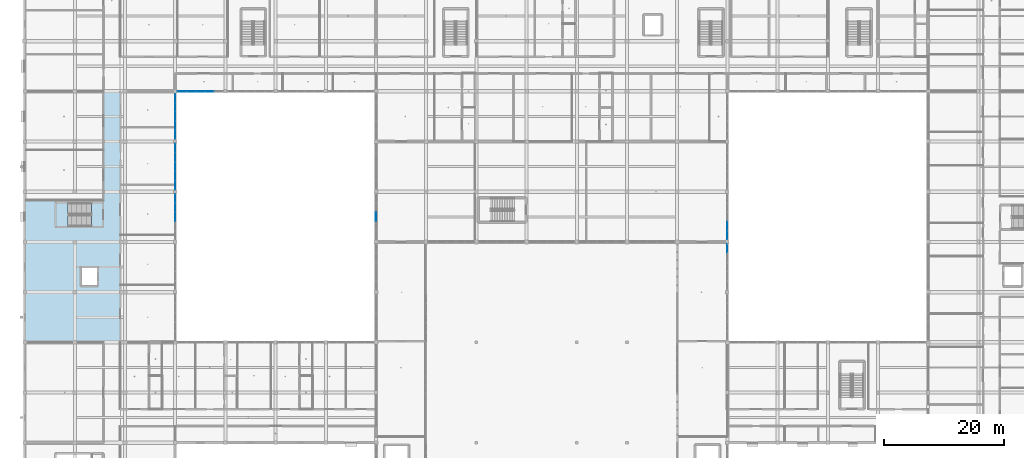
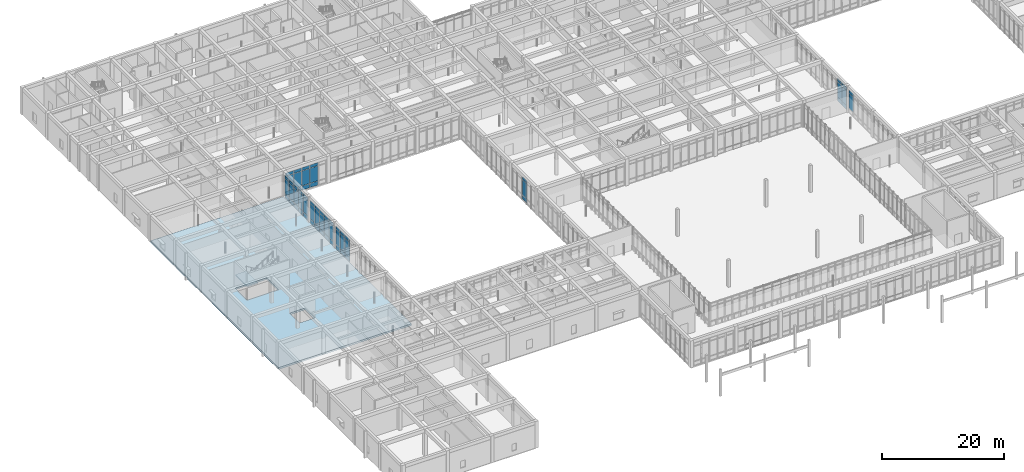
# One storey, part 65 of 157: 62 plates, 2 slabs, 8 elements without a shape of their own.
"""IFC4 building model written with IfcOpenShell, lengths in metres."""

from ifc_helpers import new_model, si_unit, direction, frame, origin, origin_2d, place, context, subcontext, project, spatial, polyline, rectangle, outline, extrude, material, layer, layer_set, type_object, element, aggregate, save


model = new_model("IFC4")

# Units and contexts
model_context = context("Model", 3, precision=1e-05, world=origin(), true_north=direction((0.0, 1.0)))
body_context = subcontext(model_context, "Body", "Model", "MODEL_VIEW")
ifc_project = project(units=[si_unit("LENGTHUNIT", "METRE"), si_unit("AREAUNIT", "SQUARE_METRE"), si_unit("VOLUMEUNIT", "CUBIC_METRE"), si_unit("PLANEANGLEUNIT", "RADIAN"), si_unit("MASSUNIT", "GRAM", prefix="KILO")], contexts=[model_context])

# Site, building, storey
site_placement = place(None, origin())
site = spatial("IfcSite", under=ifc_project, at=site_placement, CompositionType="ELEMENT")
building_placement = place(site_placement, origin())
building = spatial("IfcBuilding", under=site, at=building_placement, Name="Varncliffe General Hospital", CompositionType="ELEMENT")
storey_placement = place(building_placement, frame((0.0, 0.0, 5.39990234375)))
storey = spatial("IfcBuildingStorey", under=building, at=storey_placement, Name="L01", CompositionType="ELEMENT", Elevation=5.39990234375)

# Curtain wall, plates
ifc_material_1 = material(Name="Triple low-E argon insulated vision glazing", Category="glass")
curtain_wall_type_1 = type_object("IfcCurtainWallType", Name="Unitised Glazed Curtain Wall CW70 (7724x4640)", PredefinedType="USERDEFINED", material=ifc_material_1)
curtain_wall_1_placement = place(storey_placement, origin())
curtain_wall_1 = element("IfcCurtainWall", 1, at=curtain_wall_1_placement, inside=storey, type_object=curtain_wall_type_1, Name="L01 Glazed Curtain Wall CW70-76", ObjectType="GLAZED CURTAIN WALL", PredefinedType="USERDEFINED")
ifc_layer_1 = layer(ifc_material_1, 0.0439453125)
ifc_layer_set_1 = layer_set([ifc_layer_1], Name="Triple low-E argon insulated vision glazing")
plate_type_1 = type_object("IfcPlateType", Name="Curtain Wall Glazing Panel CP12 (44mm)", PredefinedType="CURTAIN_PANEL", material=ifc_layer_set_1)
plate_1_placement = place(storey_placement, frame((30.94482421875, 82.800048828125, 0.06005859375), z_axis=(0.0, 0.0, 1.0), x_axis=(-1.0, 0.0, 0.0)))
plate_1 = element("IfcPlate", 2, at=plate_1_placement, type_object=plate_type_1, Name="CW70 panel 2.1", PredefinedType="CURTAIN_PANEL", context=body_context, shape_type="SweptSolid", body=[
    extrude(rectangle(XDim=1.4697265625, YDim=0.0439453125, at=origin_2d()), origin(), (0.0, 0.0, 1.0), 0.81005859375),
])
plate_2_placement = place(storey_placement, frame((30.94482421875, 82.800048828125, 0.93017578125), z_axis=(0.0, 0.0, 1.0), x_axis=(-1.0, 0.0, 0.0)))
plate_2 = element("IfcPlate", 3, at=plate_2_placement, type_object=plate_type_1, Name="CW70 panel 2.2", PredefinedType="CURTAIN_PANEL", context=body_context, shape_type="SweptSolid", body=[
    extrude(rectangle(XDim=1.4697265625, YDim=0.0439453125, at=origin_2d()), origin(), (0.0, 0.0, 1.0), 2.97998046875),
])
plate_3_placement = place(storey_placement, frame((30.94482421875, 82.800048828125, 3.97021484375), z_axis=(0.0, 0.0, 1.0), x_axis=(-1.0, 0.0, 0.0)))
plate_3 = element("IfcPlate", 4, at=plate_3_placement, type_object=plate_type_1, Name="CW70 panel 2.3", PredefinedType="CURTAIN_PANEL", context=body_context, shape_type="SweptSolid", body=[
    extrude(rectangle(XDim=1.4697265625, YDim=0.0439453125, at=origin_2d()), origin(), (0.0, 0.0, 1.0), 0.610107421875),
])
plate_4_placement = place(storey_placement, frame((29.39990234375, 82.800048828125, 0.06005859375), z_axis=(0.0, 0.0, 1.0), x_axis=(-1.0, 0.0, 0.0)))
plate_4 = element("IfcPlate", 5, at=plate_4_placement, type_object=plate_type_1, Name="CW70 panel 3.1", PredefinedType="CURTAIN_PANEL", context=body_context, shape_type="SweptSolid", body=[
    extrude(rectangle(XDim=1.4697265625, YDim=0.0439453125, at=origin_2d()), origin(), (0.0, 0.0, 1.0), 0.81005859375),
])
plate_5_placement = place(storey_placement, frame((29.39990234375, 82.800048828125, 0.93017578125), z_axis=(0.0, 0.0, 1.0), x_axis=(-1.0, 0.0, 0.0)))
plate_5 = element("IfcPlate", 6, at=plate_5_placement, type_object=plate_type_1, Name="CW70 panel 3.2", PredefinedType="CURTAIN_PANEL", context=body_context, shape_type="SweptSolid", body=[
    extrude(rectangle(XDim=1.4697265625, YDim=0.0439453125, at=origin_2d()), origin(), (0.0, 0.0, 1.0), 2.97998046875),
])
plate_6_placement = place(storey_placement, frame((29.39990234375, 82.800048828125, 3.97021484375), z_axis=(0.0, 0.0, 1.0), x_axis=(-1.0, 0.0, 0.0)))
plate_6 = element("IfcPlate", 7, at=plate_6_placement, type_object=plate_type_1, Name="CW70 panel 3.3", PredefinedType="CURTAIN_PANEL", context=body_context, shape_type="SweptSolid", body=[
    extrude(rectangle(XDim=1.4697265625, YDim=0.0439453125, at=origin_2d()), origin(), (0.0, 0.0, 1.0), 0.610107421875),
])
plate_7_placement = place(storey_placement, frame((27.855224609375, 82.800048828125, 0.06005859375), z_axis=(0.0, 0.0, 1.0), x_axis=(-1.0, 0.0, 0.0)))
plate_7 = element("IfcPlate", 8, at=plate_7_placement, type_object=plate_type_1, Name="CW70 panel 4.1", PredefinedType="CURTAIN_PANEL", context=body_context, shape_type="SweptSolid", body=[
    extrude(rectangle(XDim=1.4697265625, YDim=0.0439453125, at=origin_2d()), origin(), (0.0, 0.0, 1.0), 0.81005859375),
])
plate_8_placement = place(storey_placement, frame((27.855224609375, 82.800048828125, 0.93017578125), z_axis=(0.0, 0.0, 1.0), x_axis=(-1.0, 0.0, 0.0)))
plate_8 = element("IfcPlate", 9, at=plate_8_placement, type_object=plate_type_1, Name="CW70 panel 4.2", PredefinedType="CURTAIN_PANEL", context=body_context, shape_type="SweptSolid", body=[
    extrude(rectangle(XDim=1.4697265625, YDim=0.0439453125, at=origin_2d()), origin(), (0.0, 0.0, 1.0), 2.97998046875),
])
plate_9_placement = place(storey_placement, frame((27.855224609375, 82.800048828125, 3.97021484375), z_axis=(0.0, 0.0, 1.0), x_axis=(-1.0, 0.0, 0.0)))
plate_9 = element("IfcPlate", 10, at=plate_9_placement, type_object=plate_type_1, Name="CW70 panel 4.3", PredefinedType="CURTAIN_PANEL", context=body_context, shape_type="SweptSolid", body=[
    extrude(rectangle(XDim=1.4697265625, YDim=0.0439453125, at=origin_2d()), origin(), (0.0, 0.0, 1.0), 0.610107421875),
])
plate_10_placement = place(storey_placement, frame((26.3291015625, 82.800048828125, 0.06005859375), z_axis=(0.0, 0.0, 1.0), x_axis=(-1.0, 0.0, 0.0)))
plate_10 = element("IfcPlate", 11, at=plate_10_placement, type_object=plate_type_1, Name="CW70 panel 5.1", PredefinedType="CURTAIN_PANEL", context=body_context, shape_type="SweptSolid", body=[
    extrude(rectangle(XDim=1.432373046875, YDim=0.0439453125, at=origin_2d()), origin(), (0.0, 0.0, 1.0), 0.81005859375),
])
plate_11_placement = place(storey_placement, frame((26.3291015625, 82.800048828125, 0.93017578125), z_axis=(0.0, 0.0, 1.0), x_axis=(-1.0, 0.0, 0.0)))
plate_11 = element("IfcPlate", 12, at=plate_11_placement, type_object=plate_type_1, Name="CW70 panel 5.2", PredefinedType="CURTAIN_PANEL", context=body_context, shape_type="SweptSolid", body=[
    extrude(rectangle(XDim=1.432373046875, YDim=0.0439453125, at=origin_2d()), origin(), (0.0, 0.0, 1.0), 2.97998046875),
])
plate_12_placement = place(storey_placement, frame((26.3291015625, 82.800048828125, 3.97021484375), z_axis=(0.0, 0.0, 1.0), x_axis=(-1.0, 0.0, 0.0)))
plate_12 = element("IfcPlate", 13, at=plate_12_placement, type_object=plate_type_1, Name="CW70 panel 5.3", PredefinedType="CURTAIN_PANEL", context=body_context, shape_type="SweptSolid", body=[
    extrude(rectangle(XDim=1.432373046875, YDim=0.0439453125, at=origin_2d()), origin(), (0.0, 0.0, 1.0), 0.610107421875),
])
aggregate(curtain_wall_1, [plate_1, plate_2, plate_3, plate_4, plate_5, plate_6, plate_7, plate_8, plate_9, plate_10, plate_11, plate_12])

curtain_wall_2_placement = place(storey_placement, origin())
curtain_wall_2 = element("IfcCurtainWall", 14, at=curtain_wall_2_placement, inside=storey, type_object=curtain_wall_type_1, Name="L01 Glazed Curtain Wall CW70-79", ObjectType="GLAZED CURTAIN WALL", PredefinedType="USERDEFINED")
plate_13_placement = place(storey_placement, frame((25.199951171875, 64.870849609375, 0.06005859375), z_axis=(0.0, 0.0, 1.0), x_axis=(0.0, -1.0, 0.0)))
plate_13 = element("IfcPlate", 15, at=plate_13_placement, type_object=plate_type_1, Name="CW70 panel 1.1", PredefinedType="CURTAIN_PANEL", context=body_context, shape_type="SweptSolid", body=[
    extrude(rectangle(XDim=1.432373046875, YDim=0.0439453125, at=origin_2d()), origin(), (0.0, 0.0, 1.0), 0.81005859375),
])
plate_14_placement = place(storey_placement, frame((25.199951171875, 64.870849609375, 0.93017578125), z_axis=(0.0, 0.0, 1.0), x_axis=(0.0, -1.0, 0.0)))
plate_14 = element("IfcPlate", 16, at=plate_14_placement, type_object=plate_type_1, Name="CW70 panel 1.2", PredefinedType="CURTAIN_PANEL", context=body_context, shape_type="SweptSolid", body=[
    extrude(rectangle(XDim=1.432373046875, YDim=0.0439453125, at=origin_2d()), origin(), (0.0, 0.0, 1.0), 2.97998046875),
])
plate_15_placement = place(storey_placement, frame((25.199951171875, 64.870849609375, 3.97021484375), z_axis=(0.0, 0.0, 1.0), x_axis=(0.0, -1.0, 0.0)))
plate_15 = element("IfcPlate", 17, at=plate_15_placement, type_object=plate_type_1, Name="CW70 panel 1.3", PredefinedType="CURTAIN_PANEL", context=body_context, shape_type="SweptSolid", body=[
    extrude(rectangle(XDim=1.432373046875, YDim=0.0439453125, at=origin_2d()), origin(), (0.0, 0.0, 1.0), 0.610107421875),
])
plate_16_placement = place(storey_placement, frame((25.199951171875, 63.3447265625, 0.06005859375), z_axis=(0.0, 0.0, 1.0), x_axis=(0.0, -1.0, 0.0)))
plate_16 = element("IfcPlate", 18, at=plate_16_placement, type_object=plate_type_1, Name="CW70 panel 2.1", PredefinedType="CURTAIN_PANEL", context=body_context, shape_type="SweptSolid", body=[
    extrude(rectangle(XDim=1.4697265625, YDim=0.0439453125, at=origin_2d()), origin(), (0.0, 0.0, 1.0), 0.81005859375),
])
plate_17_placement = place(storey_placement, frame((25.199951171875, 63.3447265625, 0.93017578125), z_axis=(0.0, 0.0, 1.0), x_axis=(0.0, -1.0, 0.0)))
plate_17 = element("IfcPlate", 19, at=plate_17_placement, type_object=plate_type_1, Name="CW70 panel 2.2", PredefinedType="CURTAIN_PANEL", context=body_context, shape_type="SweptSolid", body=[
    extrude(rectangle(XDim=1.4697265625, YDim=0.0439453125, at=origin_2d()), origin(), (0.0, 0.0, 1.0), 2.97998046875),
])
plate_18_placement = place(storey_placement, frame((25.199951171875, 63.3447265625, 3.97021484375), z_axis=(0.0, 0.0, 1.0), x_axis=(0.0, -1.0, 0.0)))
plate_18 = element("IfcPlate", 20, at=plate_18_placement, type_object=plate_type_1, Name="CW70 panel 2.3", PredefinedType="CURTAIN_PANEL", context=body_context, shape_type="SweptSolid", body=[
    extrude(rectangle(XDim=1.4697265625, YDim=0.0439453125, at=origin_2d()), origin(), (0.0, 0.0, 1.0), 0.610107421875),
])
plate_19_placement = place(storey_placement, frame((25.199951171875, 61.800048828125, 0.06005859375), z_axis=(0.0, 0.0, 1.0), x_axis=(0.0, -1.0, 0.0)))
plate_19 = element("IfcPlate", 21, at=plate_19_placement, type_object=plate_type_1, Name="CW70 panel 3.1", PredefinedType="CURTAIN_PANEL", context=body_context, shape_type="SweptSolid", body=[
    extrude(rectangle(XDim=1.4697265625, YDim=0.0439453125, at=origin_2d()), origin(), (0.0, 0.0, 1.0), 0.81005859375),
])
plate_20_placement = place(storey_placement, frame((25.199951171875, 61.800048828125, 0.93017578125), z_axis=(0.0, 0.0, 1.0), x_axis=(0.0, -1.0, 0.0)))
plate_20 = element("IfcPlate", 22, at=plate_20_placement, type_object=plate_type_1, Name="CW70 panel 3.2", PredefinedType="CURTAIN_PANEL", context=body_context, shape_type="SweptSolid", body=[
    extrude(rectangle(XDim=1.4697265625, YDim=0.0439453125, at=origin_2d()), origin(), (0.0, 0.0, 1.0), 2.97998046875),
])
plate_21_placement = place(storey_placement, frame((25.199951171875, 61.800048828125, 3.97021484375), z_axis=(0.0, 0.0, 1.0), x_axis=(0.0, -1.0, 0.0)))
plate_21 = element("IfcPlate", 23, at=plate_21_placement, type_object=plate_type_1, Name="CW70 panel 3.3", PredefinedType="CURTAIN_PANEL", context=body_context, shape_type="SweptSolid", body=[
    extrude(rectangle(XDim=1.4697265625, YDim=0.0439453125, at=origin_2d()), origin(), (0.0, 0.0, 1.0), 0.610107421875),
])
aggregate(curtain_wall_2, [plate_13, plate_14, plate_15, plate_16, plate_17, plate_18, plate_19, plate_20, plate_21])

curtain_wall_3_placement = place(storey_placement, origin())
curtain_wall_3 = element("IfcCurtainWall", 24, at=curtain_wall_3_placement, inside=storey, type_object=curtain_wall_type_1, Name="L01 Glazed Curtain Wall CW70-88", ObjectType="GLAZED CURTAIN WALL", PredefinedType="USERDEFINED")
plate_22_placement = place(storey_placement, frame((58.800048828125, 61.800048828125, 0.06005859375), z_axis=(0.0, 0.0, 1.0), x_axis=(0.0, 1.0, 0.0)))
plate_22 = element("IfcPlate", 25, at=plate_22_placement, type_object=plate_type_1, Name="CW70 panel 3.1", PredefinedType="CURTAIN_PANEL", context=body_context, shape_type="SweptSolid", body=[
    extrude(rectangle(XDim=1.4697265625, YDim=0.0439453125, at=origin_2d()), origin(), (0.0, 0.0, 1.0), 0.81005859375),
])
plate_23_placement = place(storey_placement, frame((58.800048828125, 61.800048828125, 0.93017578125), z_axis=(0.0, 0.0, 1.0), x_axis=(0.0, 1.0, 0.0)))
plate_23 = element("IfcPlate", 26, at=plate_23_placement, type_object=plate_type_1, Name="CW70 panel 3.2", PredefinedType="CURTAIN_PANEL", context=body_context, shape_type="SweptSolid", body=[
    extrude(rectangle(XDim=1.4697265625, YDim=0.0439453125, at=origin_2d()), origin(), (0.0, 0.0, 1.0), 2.97998046875),
])
plate_24_placement = place(storey_placement, frame((58.800048828125, 61.800048828125, 3.97021484375), z_axis=(0.0, 0.0, 1.0), x_axis=(0.0, 1.0, 0.0)))
plate_24 = element("IfcPlate", 27, at=plate_24_placement, type_object=plate_type_1, Name="CW70 panel 3.3", PredefinedType="CURTAIN_PANEL", context=body_context, shape_type="SweptSolid", body=[
    extrude(rectangle(XDim=1.4697265625, YDim=0.0439453125, at=origin_2d()), origin(), (0.0, 0.0, 1.0), 0.610107421875),
])
aggregate(curtain_wall_3, [plate_22, plate_23, plate_24])

curtain_wall_type_2 = type_object("IfcCurtainWallType", Name="Unitised Glazed Curtain Wall CW85 (7804x4640)", PredefinedType="USERDEFINED", material=ifc_material_1)
curtain_wall_4_placement = place(storey_placement, origin())
curtain_wall_4 = element("IfcCurtainWall", 28, at=curtain_wall_4_placement, inside=storey, type_object=curtain_wall_type_2, Name="L01 Glazed Curtain Wall CW85-57", ObjectType="GLAZED CURTAIN WALL", PredefinedType="USERDEFINED")
ifc_layer_2 = layer(ifc_material_1, 0.035888671875)
ifc_layer_set_2 = layer_set([ifc_layer_2], Name="Triple low-E argon insulated vision glazing")
plate_type_2 = type_object("IfcPlateType", Name="Curtain Wall Glazing Panel CP27 (36mm)", PredefinedType="CURTAIN_PANEL", material=ifc_layer_set_2)
plate_25_placement = place(storey_placement, frame((117.60009765625, 56.5029296875, 0.9326171875), z_axis=(0.0, 0.0, 1.0), x_axis=(0.0, -1.0, 0.0)))
plate_25 = element("IfcPlate", 29, at=plate_25_placement, type_object=plate_type_2, Name="CW85 panel 1.2", PredefinedType="CURTAIN_PANEL", context=body_context, shape_type="SweptSolid", body=[
    extrude(rectangle(XDim=1.4482421875, YDim=0.035888671875, at=origin_2d()), origin(), (0.0, 0.0, 1.0), 2.97509765625),
])
plate_26_placement = place(storey_placement, frame((117.60009765625, 56.5029296875, 3.97265625), z_axis=(0.0, 0.0, 1.0), x_axis=(0.0, -1.0, 0.0)))
plate_26 = element("IfcPlate", 30, at=plate_26_placement, type_object=plate_type_2, Name="CW85 panel 1.3", PredefinedType="CURTAIN_PANEL", context=body_context, shape_type="SweptSolid", body=[
    extrude(rectangle(XDim=1.4482421875, YDim=0.035888671875, at=origin_2d()), origin(), (0.0, 0.0, 1.0), 0.6025390625),
])
aggregate(curtain_wall_4, [plate_25, plate_26])

curtain_wall_5_placement = place(storey_placement, origin())
curtain_wall_5 = element("IfcCurtainWall", 31, at=curtain_wall_5_placement, inside=storey, type_object=curtain_wall_type_2, Name="L01 Glazed Curtain Wall CW85-78", ObjectType="GLAZED CURTAIN WALL", PredefinedType="USERDEFINED")
plate_27_placement = place(storey_placement, frame((25.199951171875, 73.302734375, 0.06494140625), z_axis=(0.0, 0.0, 1.0), x_axis=(0.0, -1.0, 0.0)))
plate_27 = element("IfcPlate", 32, at=plate_27_placement, type_object=plate_type_2, Name="CW85 panel 1.1", PredefinedType="CURTAIN_PANEL", context=body_context, shape_type="SweptSolid", body=[
    extrude(rectangle(XDim=1.4482421875, YDim=0.035888671875, at=origin_2d()), origin(), (0.0, 0.0, 1.0), 0.802490234375),
])
plate_28_placement = place(storey_placement, frame((25.199951171875, 73.302734375, 0.9326171875), z_axis=(0.0, 0.0, 1.0), x_axis=(0.0, -1.0, 0.0)))
plate_28 = element("IfcPlate", 33, at=plate_28_placement, type_object=plate_type_2, Name="CW85 panel 1.2", PredefinedType="CURTAIN_PANEL", context=body_context, shape_type="SweptSolid", body=[
    extrude(rectangle(XDim=1.4482421875, YDim=0.035888671875, at=origin_2d()), origin(), (0.0, 0.0, 1.0), 2.97509765625),
])
plate_29_placement = place(storey_placement, frame((25.199951171875, 73.302734375, 3.97265625), z_axis=(0.0, 0.0, 1.0), x_axis=(0.0, -1.0, 0.0)))
plate_29 = element("IfcPlate", 34, at=plate_29_placement, type_object=plate_type_2, Name="CW85 panel 1.3", PredefinedType="CURTAIN_PANEL", context=body_context, shape_type="SweptSolid", body=[
    extrude(rectangle(XDim=1.4482421875, YDim=0.035888671875, at=origin_2d()), origin(), (0.0, 0.0, 1.0), 0.6025390625),
])
plate_30_placement = place(storey_placement, frame((25.199951171875, 71.7607421875, 0.06494140625), z_axis=(0.0, 0.0, 1.0), x_axis=(0.0, -1.0, 0.0)))
plate_30 = element("IfcPlate", 35, at=plate_30_placement, type_object=plate_type_2, Name="CW85 panel 2.1", PredefinedType="CURTAIN_PANEL", context=body_context, shape_type="SweptSolid", body=[
    extrude(rectangle(XDim=1.48583984375, YDim=0.035888671875, at=origin_2d()), origin(), (0.0, 0.0, 1.0), 0.802490234375),
])
plate_31_placement = place(storey_placement, frame((25.199951171875, 71.7607421875, 0.9326171875), z_axis=(0.0, 0.0, 1.0), x_axis=(0.0, -1.0, 0.0)))
plate_31 = element("IfcPlate", 36, at=plate_31_placement, type_object=plate_type_2, Name="CW85 panel 2.2", PredefinedType="CURTAIN_PANEL", context=body_context, shape_type="SweptSolid", body=[
    extrude(rectangle(XDim=1.48583984375, YDim=0.035888671875, at=origin_2d()), origin(), (0.0, 0.0, 1.0), 2.97509765625),
])
plate_32_placement = place(storey_placement, frame((25.199951171875, 71.7607421875, 3.97265625), z_axis=(0.0, 0.0, 1.0), x_axis=(0.0, -1.0, 0.0)))
plate_32 = element("IfcPlate", 37, at=plate_32_placement, type_object=plate_type_2, Name="CW85 panel 2.3", PredefinedType="CURTAIN_PANEL", context=body_context, shape_type="SweptSolid", body=[
    extrude(rectangle(XDim=1.48583984375, YDim=0.035888671875, at=origin_2d()), origin(), (0.0, 0.0, 1.0), 0.6025390625),
])
plate_33_placement = place(storey_placement, frame((25.199951171875, 70.199951171875, 0.06494140625), z_axis=(0.0, 0.0, 1.0), x_axis=(0.0, -1.0, 0.0)))
plate_33 = element("IfcPlate", 38, at=plate_33_placement, type_object=plate_type_2, Name="CW85 panel 3.1", PredefinedType="CURTAIN_PANEL", context=body_context, shape_type="SweptSolid", body=[
    extrude(rectangle(XDim=1.48583984375, YDim=0.035888671875, at=origin_2d()), origin(), (0.0, 0.0, 1.0), 0.802490234375),
])
plate_34_placement = place(storey_placement, frame((25.199951171875, 70.199951171875, 0.9326171875), z_axis=(0.0, 0.0, 1.0), x_axis=(0.0, -1.0, 0.0)))
plate_34 = element("IfcPlate", 39, at=plate_34_placement, type_object=plate_type_2, Name="CW85 panel 3.2", PredefinedType="CURTAIN_PANEL", context=body_context, shape_type="SweptSolid", body=[
    extrude(rectangle(XDim=1.48583984375, YDim=0.035888671875, at=origin_2d()), origin(), (0.0, 0.0, 1.0), 2.97509765625),
])
plate_35_placement = place(storey_placement, frame((25.199951171875, 70.199951171875, 3.97265625), z_axis=(0.0, 0.0, 1.0), x_axis=(0.0, -1.0, 0.0)))
plate_35 = element("IfcPlate", 40, at=plate_35_placement, type_object=plate_type_2, Name="CW85 panel 3.3", PredefinedType="CURTAIN_PANEL", context=body_context, shape_type="SweptSolid", body=[
    extrude(rectangle(XDim=1.48583984375, YDim=0.035888671875, at=origin_2d()), origin(), (0.0, 0.0, 1.0), 0.6025390625),
])
plate_36_placement = place(storey_placement, frame((25.199951171875, 68.63916015625, 0.06494140625), z_axis=(0.0, 0.0, 1.0), x_axis=(0.0, -1.0, 0.0)))
plate_36 = element("IfcPlate", 41, at=plate_36_placement, type_object=plate_type_2, Name="CW85 panel 4.1", PredefinedType="CURTAIN_PANEL", context=body_context, shape_type="SweptSolid", body=[
    extrude(rectangle(XDim=1.48583984375, YDim=0.035888671875, at=origin_2d()), origin(), (0.0, 0.0, 1.0), 0.802490234375),
])
plate_37_placement = place(storey_placement, frame((25.199951171875, 68.63916015625, 0.9326171875), z_axis=(0.0, 0.0, 1.0), x_axis=(0.0, -1.0, 0.0)))
plate_37 = element("IfcPlate", 42, at=plate_37_placement, type_object=plate_type_2, Name="CW85 panel 4.2", PredefinedType="CURTAIN_PANEL", context=body_context, shape_type="SweptSolid", body=[
    extrude(rectangle(XDim=1.48583984375, YDim=0.035888671875, at=origin_2d()), origin(), (0.0, 0.0, 1.0), 2.97509765625),
])
plate_38_placement = place(storey_placement, frame((25.199951171875, 68.63916015625, 3.97265625), z_axis=(0.0, 0.0, 1.0), x_axis=(0.0, -1.0, 0.0)))
plate_38 = element("IfcPlate", 43, at=plate_38_placement, type_object=plate_type_2, Name="CW85 panel 4.3", PredefinedType="CURTAIN_PANEL", context=body_context, shape_type="SweptSolid", body=[
    extrude(rectangle(XDim=1.48583984375, YDim=0.035888671875, at=origin_2d()), origin(), (0.0, 0.0, 1.0), 0.6025390625),
])
plate_39_placement = place(storey_placement, frame((25.199951171875, 67.09716796875, 0.06494140625), z_axis=(0.0, 0.0, 1.0), x_axis=(0.0, -1.0, 0.0)))
plate_39 = element("IfcPlate", 44, at=plate_39_placement, type_object=plate_type_2, Name="CW85 panel 5.1", PredefinedType="CURTAIN_PANEL", context=body_context, shape_type="SweptSolid", body=[
    extrude(rectangle(XDim=1.4482421875, YDim=0.035888671875, at=origin_2d()), origin(), (0.0, 0.0, 1.0), 0.802490234375),
])
plate_40_placement = place(storey_placement, frame((25.199951171875, 67.09716796875, 0.9326171875), z_axis=(0.0, 0.0, 1.0), x_axis=(0.0, -1.0, 0.0)))
plate_40 = element("IfcPlate", 45, at=plate_40_placement, type_object=plate_type_2, Name="CW85 panel 5.2", PredefinedType="CURTAIN_PANEL", context=body_context, shape_type="SweptSolid", body=[
    extrude(rectangle(XDim=1.4482421875, YDim=0.035888671875, at=origin_2d()), origin(), (0.0, 0.0, 1.0), 2.97509765625),
])
plate_41_placement = place(storey_placement, frame((25.199951171875, 67.09716796875, 3.97265625), z_axis=(0.0, 0.0, 1.0), x_axis=(0.0, -1.0, 0.0)))
plate_41 = element("IfcPlate", 46, at=plate_41_placement, type_object=plate_type_2, Name="CW85 panel 5.3", PredefinedType="CURTAIN_PANEL", context=body_context, shape_type="SweptSolid", body=[
    extrude(rectangle(XDim=1.4482421875, YDim=0.035888671875, at=origin_2d()), origin(), (0.0, 0.0, 1.0), 0.6025390625),
])
aggregate(curtain_wall_5, [plate_27, plate_28, plate_29, plate_30, plate_31, plate_32, plate_33, plate_34, plate_35, plate_36, plate_37, plate_38, plate_39, plate_40, plate_41])

curtain_wall_type_3 = type_object("IfcCurtainWallType", Name="Unitised Glazed Curtain Wall CW27 (7644x4640)", PredefinedType="USERDEFINED", material=ifc_material_1)
curtain_wall_6_placement = place(storey_placement, origin())
curtain_wall_6 = element("IfcCurtainWall", 47, at=curtain_wall_6_placement, inside=storey, type_object=curtain_wall_type_3, Name="L01 Glazed Curtain Wall CW27-56", ObjectType="GLAZED CURTAIN WALL", PredefinedType="USERDEFINED")
ifc_layer_3 = layer(ifc_material_1, 0.028076171875)
ifc_layer_set_3 = layer_set([ifc_layer_3], Name="Triple low-E argon insulated vision glazing")
plate_type_3 = type_object("IfcPlateType", Name="Curtain Wall Glazing Panel CP48 (28mm)", PredefinedType="CURTAIN_PANEL", material=ifc_layer_set_3)
plate_42_placement = place(storey_placement, frame((117.60009765625, 60.271240234375, 0.06005859375), z_axis=(0.0, 0.0, 1.0), x_axis=(0.0, -1.0, 0.0)))
plate_42 = element("IfcPlate", 48, at=plate_42_placement, type_object=plate_type_3, Name="CW27 panel 4.1", PredefinedType="CURTAIN_PANEL", context=body_context, shape_type="SweptSolid", body=[
    extrude(rectangle(XDim=1.4638671875, YDim=0.028076171875, at=origin_2d()), origin(), (0.0, 0.0, 1.0), 0.81005859375),
])
plate_43_placement = place(storey_placement, frame((117.60009765625, 60.271240234375, 0.93017578125), z_axis=(0.0, 0.0, 1.0), x_axis=(0.0, -1.0, 0.0)))
plate_43 = element("IfcPlate", 49, at=plate_43_placement, type_object=plate_type_3, Name="CW27 panel 4.2", PredefinedType="CURTAIN_PANEL", context=body_context, shape_type="SweptSolid", body=[
    extrude(rectangle(XDim=1.4638671875, YDim=0.028076171875, at=origin_2d()), origin(), (0.0, 0.0, 1.0), 2.97998046875),
])
plate_44_placement = place(storey_placement, frame((117.60009765625, 60.271240234375, 3.97021484375), z_axis=(0.0, 0.0, 1.0), x_axis=(0.0, -1.0, 0.0)))
plate_44 = element("IfcPlate", 50, at=plate_44_placement, type_object=plate_type_3, Name="CW27 panel 4.3", PredefinedType="CURTAIN_PANEL", context=body_context, shape_type="SweptSolid", body=[
    extrude(rectangle(XDim=1.4638671875, YDim=0.028076171875, at=origin_2d()), origin(), (0.0, 0.0, 1.0), 0.610107421875),
])
plate_45_placement = place(storey_placement, frame((117.60009765625, 58.758544921875, 0.06005859375), z_axis=(0.0, 0.0, 1.0), x_axis=(0.0, -1.0, 0.0)))
plate_45 = element("IfcPlate", 51, at=plate_45_placement, type_object=plate_type_3, Name="CW27 panel 5.1", PredefinedType="CURTAIN_PANEL", context=body_context, shape_type="SweptSolid", body=[
    extrude(rectangle(XDim=1.431396484375, YDim=0.028076171875, at=origin_2d()), origin(), (0.0, 0.0, 1.0), 0.81005859375),
])
plate_46_placement = place(storey_placement, frame((117.60009765625, 58.758544921875, 0.93017578125), z_axis=(0.0, 0.0, 1.0), x_axis=(0.0, -1.0, 0.0)))
plate_46 = element("IfcPlate", 52, at=plate_46_placement, type_object=plate_type_3, Name="CW27 panel 5.2", PredefinedType="CURTAIN_PANEL", context=body_context, shape_type="SweptSolid", body=[
    extrude(rectangle(XDim=1.431396484375, YDim=0.028076171875, at=origin_2d()), origin(), (0.0, 0.0, 1.0), 2.97998046875),
])
plate_47_placement = place(storey_placement, frame((117.60009765625, 58.758544921875, 3.97021484375), z_axis=(0.0, 0.0, 1.0), x_axis=(0.0, -1.0, 0.0)))
plate_47 = element("IfcPlate", 53, at=plate_47_placement, type_object=plate_type_3, Name="CW27 panel 5.3", PredefinedType="CURTAIN_PANEL", context=body_context, shape_type="SweptSolid", body=[
    extrude(rectangle(XDim=1.431396484375, YDim=0.028076171875, at=origin_2d()), origin(), (0.0, 0.0, 1.0), 0.610107421875),
])
aggregate(curtain_wall_6, [plate_42, plate_43, plate_44, plate_45, plate_46, plate_47])

curtain_wall_7_placement = place(storey_placement, origin())
curtain_wall_7 = element("IfcCurtainWall", 54, at=curtain_wall_7_placement, inside=storey, type_object=curtain_wall_type_3, Name="L01 Glazed Curtain Wall CW27-77", ObjectType="GLAZED CURTAIN WALL", PredefinedType="USERDEFINED")
plate_48_placement = place(storey_placement, frame((25.199951171875, 81.641357421875, 0.06005859375), z_axis=(0.0, 0.0, 1.0), x_axis=(0.0, -1.0, 0.0)))
plate_48 = element("IfcPlate", 55, at=plate_48_placement, type_object=plate_type_3, Name="CW27 panel 1.1", PredefinedType="CURTAIN_PANEL", context=body_context, shape_type="SweptSolid", body=[
    extrude(rectangle(XDim=1.431396484375, YDim=0.028076171875, at=origin_2d()), origin(), (0.0, 0.0, 1.0), 0.81005859375),
])
plate_49_placement = place(storey_placement, frame((25.199951171875, 81.641357421875, 0.93017578125), z_axis=(0.0, 0.0, 1.0), x_axis=(0.0, -1.0, 0.0)))
plate_49 = element("IfcPlate", 56, at=plate_49_placement, type_object=plate_type_3, Name="CW27 panel 1.2", PredefinedType="CURTAIN_PANEL", context=body_context, shape_type="SweptSolid", body=[
    extrude(rectangle(XDim=1.431396484375, YDim=0.028076171875, at=origin_2d()), origin(), (0.0, 0.0, 1.0), 2.97998046875),
])
plate_50_placement = place(storey_placement, frame((25.199951171875, 81.641357421875, 3.97021484375), z_axis=(0.0, 0.0, 1.0), x_axis=(0.0, -1.0, 0.0)))
plate_50 = element("IfcPlate", 57, at=plate_50_placement, type_object=plate_type_3, Name="CW27 panel 1.3", PredefinedType="CURTAIN_PANEL", context=body_context, shape_type="SweptSolid", body=[
    extrude(rectangle(XDim=1.431396484375, YDim=0.028076171875, at=origin_2d()), origin(), (0.0, 0.0, 1.0), 0.610107421875),
])
plate_51_placement = place(storey_placement, frame((25.199951171875, 80.12890625, 0.06005859375), z_axis=(0.0, 0.0, 1.0), x_axis=(0.0, -1.0, 0.0)))
plate_51 = element("IfcPlate", 58, at=plate_51_placement, type_object=plate_type_3, Name="CW27 panel 2.1", PredefinedType="CURTAIN_PANEL", context=body_context, shape_type="SweptSolid", body=[
    extrude(rectangle(XDim=1.4638671875, YDim=0.028076171875, at=origin_2d()), origin(), (0.0, 0.0, 1.0), 0.81005859375),
])
plate_52_placement = place(storey_placement, frame((25.199951171875, 80.12890625, 0.93017578125), z_axis=(0.0, 0.0, 1.0), x_axis=(0.0, -1.0, 0.0)))
plate_52 = element("IfcPlate", 59, at=plate_52_placement, type_object=plate_type_3, Name="CW27 panel 2.2", PredefinedType="CURTAIN_PANEL", context=body_context, shape_type="SweptSolid", body=[
    extrude(rectangle(XDim=1.4638671875, YDim=0.028076171875, at=origin_2d()), origin(), (0.0, 0.0, 1.0), 2.97998046875),
])
plate_53_placement = place(storey_placement, frame((25.199951171875, 80.12890625, 3.97021484375), z_axis=(0.0, 0.0, 1.0), x_axis=(0.0, -1.0, 0.0)))
plate_53 = element("IfcPlate", 60, at=plate_53_placement, type_object=plate_type_3, Name="CW27 panel 2.3", PredefinedType="CURTAIN_PANEL", context=body_context, shape_type="SweptSolid", body=[
    extrude(rectangle(XDim=1.4638671875, YDim=0.028076171875, at=origin_2d()), origin(), (0.0, 0.0, 1.0), 0.610107421875),
])
plate_54_placement = place(storey_placement, frame((25.199951171875, 78.60009765625, 0.06005859375), z_axis=(0.0, 0.0, 1.0), x_axis=(0.0, -1.0, 0.0)))
plate_54 = element("IfcPlate", 61, at=plate_54_placement, type_object=plate_type_3, Name="CW27 panel 3.1", PredefinedType="CURTAIN_PANEL", context=body_context, shape_type="SweptSolid", body=[
    extrude(rectangle(XDim=1.4638671875, YDim=0.028076171875, at=origin_2d()), origin(), (0.0, 0.0, 1.0), 0.81005859375),
])
plate_55_placement = place(storey_placement, frame((25.199951171875, 78.60009765625, 0.93017578125), z_axis=(0.0, 0.0, 1.0), x_axis=(0.0, -1.0, 0.0)))
plate_55 = element("IfcPlate", 62, at=plate_55_placement, type_object=plate_type_3, Name="CW27 panel 3.2", PredefinedType="CURTAIN_PANEL", context=body_context, shape_type="SweptSolid", body=[
    extrude(rectangle(XDim=1.4638671875, YDim=0.028076171875, at=origin_2d()), origin(), (0.0, 0.0, 1.0), 2.97998046875),
])
plate_56_placement = place(storey_placement, frame((25.199951171875, 78.60009765625, 3.97021484375), z_axis=(0.0, 0.0, 1.0), x_axis=(0.0, -1.0, 0.0)))
plate_56 = element("IfcPlate", 63, at=plate_56_placement, type_object=plate_type_3, Name="CW27 panel 3.3", PredefinedType="CURTAIN_PANEL", context=body_context, shape_type="SweptSolid", body=[
    extrude(rectangle(XDim=1.4638671875, YDim=0.028076171875, at=origin_2d()), origin(), (0.0, 0.0, 1.0), 0.610107421875),
])
plate_57_placement = place(storey_placement, frame((25.199951171875, 77.0712890625, 0.06005859375), z_axis=(0.0, 0.0, 1.0), x_axis=(0.0, -1.0, 0.0)))
plate_57 = element("IfcPlate", 64, at=plate_57_placement, type_object=plate_type_3, Name="CW27 panel 4.1", PredefinedType="CURTAIN_PANEL", context=body_context, shape_type="SweptSolid", body=[
    extrude(rectangle(XDim=1.4638671875, YDim=0.028076171875, at=origin_2d()), origin(), (0.0, 0.0, 1.0), 0.81005859375),
])
plate_58_placement = place(storey_placement, frame((25.199951171875, 77.0712890625, 0.93017578125), z_axis=(0.0, 0.0, 1.0), x_axis=(0.0, -1.0, 0.0)))
plate_58 = element("IfcPlate", 65, at=plate_58_placement, type_object=plate_type_3, Name="CW27 panel 4.2", PredefinedType="CURTAIN_PANEL", context=body_context, shape_type="SweptSolid", body=[
    extrude(rectangle(XDim=1.4638671875, YDim=0.028076171875, at=origin_2d()), origin(), (0.0, 0.0, 1.0), 2.97998046875),
])
plate_59_placement = place(storey_placement, frame((25.199951171875, 77.0712890625, 3.97021484375), z_axis=(0.0, 0.0, 1.0), x_axis=(0.0, -1.0, 0.0)))
plate_59 = element("IfcPlate", 66, at=plate_59_placement, type_object=plate_type_3, Name="CW27 panel 4.3", PredefinedType="CURTAIN_PANEL", context=body_context, shape_type="SweptSolid", body=[
    extrude(rectangle(XDim=1.4638671875, YDim=0.028076171875, at=origin_2d()), origin(), (0.0, 0.0, 1.0), 0.610107421875),
])
plate_60_placement = place(storey_placement, frame((25.199951171875, 75.55859375, 0.06005859375), z_axis=(0.0, 0.0, 1.0), x_axis=(0.0, -1.0, 0.0)))
plate_60 = element("IfcPlate", 67, at=plate_60_placement, type_object=plate_type_3, Name="CW27 panel 5.1", PredefinedType="CURTAIN_PANEL", context=body_context, shape_type="SweptSolid", body=[
    extrude(rectangle(XDim=1.431396484375, YDim=0.028076171875, at=origin_2d()), origin(), (0.0, 0.0, 1.0), 0.81005859375),
])
plate_61_placement = place(storey_placement, frame((25.199951171875, 75.55859375, 0.93017578125), z_axis=(0.0, 0.0, 1.0), x_axis=(0.0, -1.0, 0.0)))
plate_61 = element("IfcPlate", 68, at=plate_61_placement, type_object=plate_type_3, Name="CW27 panel 5.2", PredefinedType="CURTAIN_PANEL", context=body_context, shape_type="SweptSolid", body=[
    extrude(rectangle(XDim=1.431396484375, YDim=0.028076171875, at=origin_2d()), origin(), (0.0, 0.0, 1.0), 2.97998046875),
])
plate_62_placement = place(storey_placement, frame((25.199951171875, 75.55859375, 3.97021484375), z_axis=(0.0, 0.0, 1.0), x_axis=(0.0, -1.0, 0.0)))
plate_62 = element("IfcPlate", 69, at=plate_62_placement, type_object=plate_type_3, Name="CW27 panel 5.3", PredefinedType="CURTAIN_PANEL", context=body_context, shape_type="SweptSolid", body=[
    extrude(rectangle(XDim=1.431396484375, YDim=0.028076171875, at=origin_2d()), origin(), (0.0, 0.0, 1.0), 0.610107421875),
])
aggregate(curtain_wall_7, [plate_48, plate_49, plate_50, plate_51, plate_52, plate_53, plate_54, plate_55, plate_56, plate_57, plate_58, plate_59, plate_60, plate_61, plate_62])

# Slab
ifc_material_2 = material(Name="Concrete C35/45 (CSA A23.1 35 MPa)", Category="concrete")
ifc_layer_4 = layer(ifc_material_2, 0.360107421875)
ifc_layer_set_4 = layer_set([ifc_layer_4], Name="Concrete C35/45 (CSA A23.1 35 MPa)")
slab_type_1 = type_object("IfcSlabType", Name="Floor Slab SL42 (Int 360mm)", PredefinedType="FLOOR", material=ifc_layer_set_4)
slab_1_placement = place(storey_placement, frame((0.0, 0.0, -0.35986328125)))
element("IfcSlab", 70, at=slab_1_placement, inside=storey, type_object=slab_type_1, Name="L01 V3 Structural Floor Slab 1", PredefinedType="FLOOR", context=body_context, shape_type="SweptSolid", body=[
    extrude(outline(polyline([(25.199951171875, 40.800048828125), (0.0, 40.800048828125), (0.0, 82.800048828125), (25.199951171875, 82.800048828125), (25.199951171875, 40.800048828125)]), holes=[polyline([(11.199951171875, 64.10009765625), (5.25, 64.10009765625), (5.25, 60.199951171875), (11.199951171875, 60.199951171875), (11.199951171875, 64.10009765625)]), polyline([(9.39990234375, 50.199951171875), (12.300048828125, 50.199951171875), (12.300048828125, 53.39990234375), (9.39990234375, 53.39990234375), (9.39990234375, 50.199951171875)])]), origin(), (0.0, 0.0, 1.0), 0.35986328125),
])

# Stair, slab
stair_type = type_object("IfcStairType", Name="Hospital Stair Assembly ST-T02 (1850w-5400h)", PredefinedType="TWO_STRAIGHT_RUN_STAIR", material=ifc_material_2)
stair_placement = place(storey_placement, origin())
stair = element("IfcStair", 71, at=stair_placement, inside=storey, type_object=stair_type, Name="L01 Diagnostic West Exit Stair 5", PredefinedType="TWO_STRAIGHT_RUN_STAIR")
ifc_layer_5 = layer(ifc_material_2, 0.199951171875)
ifc_layer_set_5 = layer_set([ifc_layer_5], Name="Concrete C35/45 (CSA A23.1 35 MPa)")
slab_type_2 = type_object("IfcSlabType", Name="Reinforced Concrete Stair Landing LND50 (200mm)", PredefinedType="LANDING", material=ifc_layer_set_5)
slab_2_placement = place(storey_placement, frame((0.0, 0.0, 2.5)))
slab_2 = element("IfcSlab", 72, at=slab_2_placement, type_object=slab_type_2, Name="ST05 landing 1", PredefinedType="LANDING", context=body_context, shape_type="SweptSolid", body=[
    extrude(outline(polyline([(7.280029296875, 64.10009765625), (5.25, 64.10009765625), (5.25, 60.199951171875), (7.280029296875, 60.199951171875), (7.280029296875, 64.10009765625)])), origin(), (0.0, 0.0, 1.0), 0.2001953125),
])
aggregate(stair, [slab_2])

save(model, "model.ifc")
